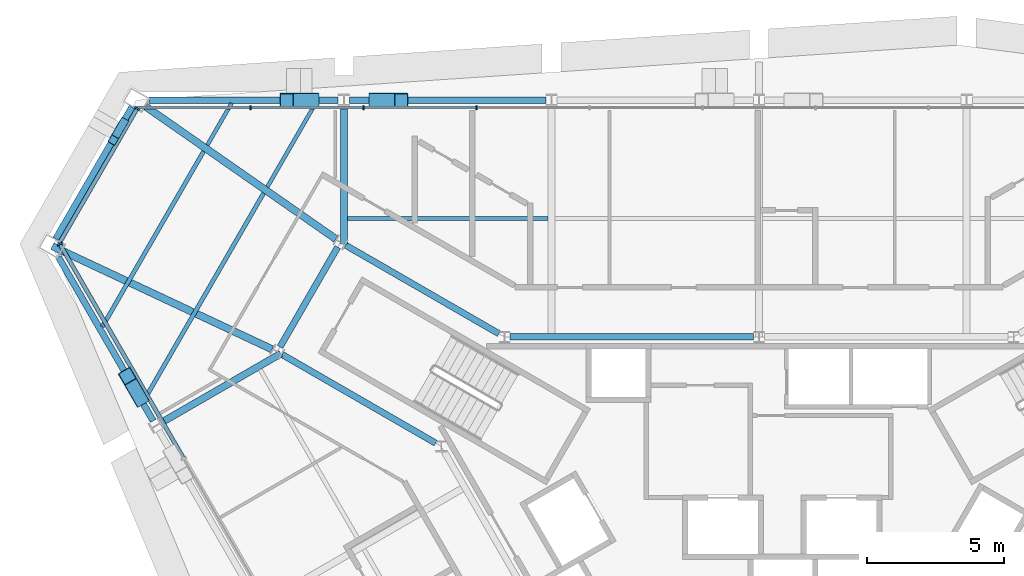
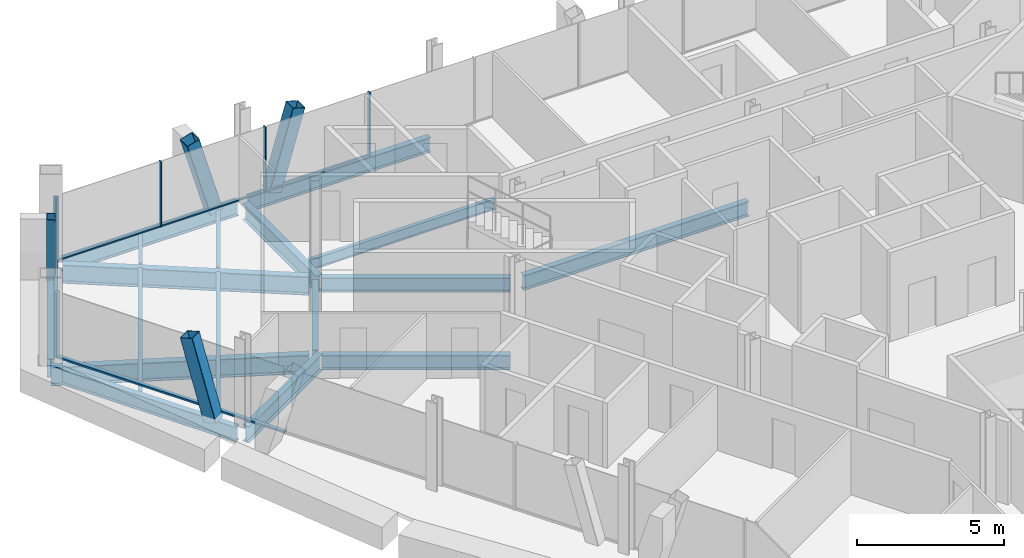
# One storey, part 5 of 13: 17 beams, 14 members, 3 elements without a shape of their own.
"""IFC4 building model written with IfcOpenShell, lengths in metres."""

from ifc_helpers import new_model, si_unit, direction, frame, origin, origin_2d, place, context, subcontext, project, spatial, rectangle, hollow_rectangle, i_section, extrude, material, material_profile, profile_set, type_object, element, aggregate, save


model = new_model("IFC4")

# Units and contexts
model_context = context("Model", 3, precision=1e-05, world=origin(), true_north=direction((0.0, 1.0)))
body_context = subcontext(model_context, "Body", "Model", "MODEL_VIEW")
ifc_project = project(units=[si_unit("LENGTHUNIT", "METRE"), si_unit("AREAUNIT", "SQUARE_METRE"), si_unit("VOLUMEUNIT", "CUBIC_METRE"), si_unit("PLANEANGLEUNIT", "RADIAN"), si_unit("MASSUNIT", "GRAM", prefix="KILO")], contexts=[model_context])

# Site, building, storey
site_placement = place(None, origin())
site = spatial("IfcSite", under=ifc_project, at=site_placement, CompositionType="ELEMENT")
building_placement = place(site_placement, origin())
building = spatial("IfcBuilding", under=site, at=building_placement, Name="Verrane Prism Tower", CompositionType="ELEMENT")
storey_placement = place(building_placement, frame((0.0, 0.0, 152.5)))
storey = spatial("IfcBuildingStorey", under=building, at=storey_placement, Name="L37", CompositionType="ELEMENT", Elevation=152.5)

# Member
ifc_material_1 = material(Name="Steel A500 Grade C", Category="steel")
ifc_material_profile_1 = material_profile(ifc_material_1, hollow_rectangle(XDim=0.3046875, YDim=0.3046875, WallThickness=0.0126953125, InnerFilletRadius=0.00634765625, OuterFilletRadius=0.01904296875, at=origin_2d()), Name="HSS12x12x1/2")
ifc_profile_set_1 = profile_set([ifc_material_profile_1], Name="Steel A500 Grade C")
member_type_1 = type_object("IfcMemberType", Name="Chamfer brace HSS12x12x1/2", PredefinedType="BRACE", material=ifc_profile_set_1)
member_1_placement = place(storey_placement, frame((-23.113525390625, 15.790771484375, -0.24267578125), z_axis=(-0.115415041023, -0.199492223225, 0.973078733288), x_axis=(0.865577616454, -0.500774789596, 0.0)))
element("IfcMember", 1, at=member_1_placement, inside=storey, type_object=member_type_1, Name="Chamfer brace NW0 L37", PredefinedType="BRACE", context=body_context, shape_type="SweptSolid", body=[
    extrude(hollow_rectangle(XDim=0.3046875, YDim=0.3046875, WallThickness=0.0126953125, InnerFilletRadius=0.00634765625, OuterFilletRadius=0.01904296875, at=origin_2d()), origin(), (0.0, 0.0, 1.0), 3.194091796875),
])

# Beams
ifc_material_2 = material(Name="Steel A992", Category="steel")
ifc_material_profile_2 = material_profile(ifc_material_2, i_section(OverallWidth=0.2666015625, OverallDepth=0.7568359375, WebThickness=0.013916015625, FlangeThickness=0.019287109375, FilletRadius=0.0166015625, at=origin_2d()), Name="W30x108")
ifc_profile_set_2 = profile_set([ifc_material_profile_2], Name="Steel A992")
beam_type_1 = type_object("IfcBeamType", Name="Chamfer spandrel beam W30x108", PredefinedType="SPANDREL", material=ifc_profile_set_2)
beam_1_placement = place(storey_placement, frame((-22.790283203125, 16.350341796875, -0.53857421875), z_axis=(-0.50050398262, -0.865734233689, 0.0), x_axis=(0.865734233689, -0.50050398262, 0.0)))
element("IfcBeam", 2, at=beam_1_placement, inside=storey, type_object=beam_type_1, Name="Chamfer spandrel beam L37", PredefinedType="SPANDREL", context=body_context, shape_type="SweptSolid", body=[
    extrude(i_section(OverallWidth=0.2666015625, OverallDepth=0.7568359375, WebThickness=0.013916015625, FlangeThickness=0.019287109375, FilletRadius=0.0166015625, at=origin_2d()), origin(), (0.0, 0.0, 1.0), 5.533447265625),
])
ifc_material_3 = material(Name="Steel A992", Category="steel")
ifc_material_profile_3 = material_profile(ifc_material_3, i_section(OverallWidth=0.23046875, OverallDepth=0.6171875, WebThickness=0.01318359375, FlangeThickness=0.022216796875, FilletRadius=0.012939453125, at=origin_2d()), Name="W24x94")
ifc_profile_set_3 = profile_set([ifc_material_profile_3], Name="Steel A992")
beam_type_2 = type_object("IfcBeamType", Name="Core ring girder W24x94", PredefinedType="BEAM", material=ifc_profile_set_3)
beam_2_placement = place(storey_placement, frame((-0.20068359375, 8.0, -0.55859375), z_axis=(-1.0, 0.0, 0.0), x_axis=(0.0, -1.0, 0.0)))
element("IfcBeam", 3, at=beam_2_placement, inside=storey, type_object=beam_type_2, Name="Core ring girder L37", PredefinedType="BEAM", context=body_context, shape_type="SweptSolid", body=[
    extrude(i_section(OverallWidth=0.23046875, OverallDepth=0.6171875, WebThickness=0.01318359375, FlangeThickness=0.022216796875, FilletRadius=0.012939453125, at=origin_2d()), origin(), (0.0, 0.0, 1.0), 8.858642578125),
])
beam_3_placement = place(storey_placement, frame((-9.460693359375, 8.11572265625, -0.55859375), z_axis=(-0.866075143088, 0.499913839102, 0.0), x_axis=(-0.499913839102, -0.866075143088, 0.0)))
element("IfcBeam", 4, at=beam_3_placement, inside=storey, type_object=beam_type_2, Name="Core ring girder L37", PredefinedType="BEAM", context=body_context, shape_type="SweptSolid", body=[
    extrude(i_section(OverallWidth=0.23046875, OverallDepth=0.6171875, WebThickness=0.01318359375, FlangeThickness=0.022216796875, FilletRadius=0.012939453125, at=origin_2d()), origin(), (0.0, 0.0, 1.0), 6.441650390625),
])
beam_4_placement = place(storey_placement, frame((-15.32177734375, 11.26416015625, -0.55859375), z_axis=(-0.500305747711, -0.865848808284, 0.0), x_axis=(0.865848808284, -0.500305747711, 0.0)))
element("IfcBeam", 5, at=beam_4_placement, inside=storey, type_object=beam_type_2, Name="Core ring girder L37", PredefinedType="BEAM", context=body_context, shape_type="SweptSolid", body=[
    extrude(i_section(OverallWidth=0.23046875, OverallDepth=0.6171875, WebThickness=0.01318359375, FlangeThickness=0.022216796875, FilletRadius=0.012939453125, at=origin_2d()), origin(), (0.0, 0.0, 1.0), 4.1904296875),
])
beam_5_placement = place(storey_placement, frame((-17.339599609375, 7.35595703125, -0.55859375), z_axis=(0.866075143088, -0.499913839102, 0.0), x_axis=(0.499913839102, 0.866075143088, 0.0)))
element("IfcBeam", 6, at=beam_5_placement, inside=storey, type_object=beam_type_2, Name="Core ring girder L37", PredefinedType="BEAM", context=body_context, shape_type="SweptSolid", body=[
    extrude(i_section(OverallWidth=0.23046875, OverallDepth=0.6171875, WebThickness=0.01318359375, FlangeThickness=0.022216796875, FilletRadius=0.012939453125, at=origin_2d()), origin(), (0.0, 0.0, 1.0), 6.441650390625),
])
ifc_material_4 = material(Name="Steel A992", Category="steel")
ifc_material_profile_4 = material_profile(ifc_material_4, i_section(OverallWidth=0.2666015625, OverallDepth=0.76708984375, WebThickness=0.014892578125, FlangeThickness=0.023681640625, FilletRadius=0.0166015625, at=origin_2d()), Name="W30x124")
ifc_profile_set_4 = profile_set([ifc_material_profile_4], Name="Steel A992")
beam_type_3 = type_object("IfcBeamType", Name="Corner girder W30x124", PredefinedType="BEAM", material=ifc_profile_set_4)
beam_6_placement = place(storey_placement, frame((-22.310546875, 16.380615234375, -0.603515625), z_axis=(0.820467710787, -0.571692868204, 0.0), x_axis=(0.571692868204, 0.820467710787, 0.0)))
element("IfcBeam", 7, at=beam_6_placement, inside=storey, type_object=beam_type_3, Name="Corner girder L37", PredefinedType="BEAM", context=body_context, shape_type="SweptSolid", body=[
    extrude(i_section(OverallWidth=0.2666015625, OverallDepth=0.76708984375, WebThickness=0.014892578125, FlangeThickness=0.023681640625, FilletRadius=0.0166015625, at=origin_2d()), origin(), (0.0, 0.0, 1.0), 8.432861328125),
])
beam_7_placement = place(storey_placement, frame((-25.703125, 11.296875, -0.603515625), z_axis=(0.905408784135, -0.424540850344, 0.0), x_axis=(0.424540850344, 0.905408784135, 0.0)))
element("IfcBeam", 8, at=beam_7_placement, inside=storey, type_object=beam_type_3, Name="Corner girder L37", PredefinedType="BEAM", context=body_context, shape_type="SweptSolid", body=[
    extrude(i_section(OverallWidth=0.2666015625, OverallDepth=0.76708984375, WebThickness=0.014892578125, FlangeThickness=0.023681640625, FilletRadius=0.0166015625, at=origin_2d()), origin(), (0.0, 0.0, 1.0), 8.8291015625),
])

# Members
ifc_material_5 = material(Name="Steel A500 Grade C", Category="steel")
ifc_material_profile_5 = material_profile(ifc_material_5, hollow_rectangle(XDim=0.508056640625, YDim=0.508056640625, WallThickness=0.01904296875, InnerFilletRadius=0.009521484375, OuterFilletRadius=0.028564453125, at=origin_2d()), Name="HSS20x20x3/4")
ifc_profile_set_5 = profile_set([ifc_material_profile_5], Name="Steel A500 Grade C")
member_type_2 = type_object("IfcMemberType", Name="Facade brace HSS20x20x3/4", PredefinedType="BRACE", material=ifc_profile_set_5)
member_2_placement = place(storey_placement, frame((-13.947998046875, 16.610107421875, -0.216796875), z_axis=(0.279831041073, 0.0, 0.960049263555), x_axis=(0.0, 1.0, 0.0)))
element("IfcMember", 9, at=member_2_placement, inside=storey, type_object=member_type_2, Name="Facade brace N4 L37", PredefinedType="BRACE", context=body_context, shape_type="SweptSolid", body=[
    extrude(hollow_rectangle(XDim=0.508056640625, YDim=0.508056640625, WallThickness=0.01904296875, InnerFilletRadius=0.009521484375, OuterFilletRadius=0.028564453125, at=origin_2d()), origin(), (0.0, 0.0, 1.0), 3.329345703125),
])
member_3_placement = place(storey_placement, frame((-16.25048828125, 16.610107421875, -0.216796875), z_axis=(-0.279493045213, 0.0, 0.960147716592), x_axis=(0.0, -1.0, 0.0)))
element("IfcMember", 10, at=member_3_placement, inside=storey, type_object=member_type_2, Name="Facade brace N5 L37", PredefinedType="BRACE", context=body_context, shape_type="SweptSolid", body=[
    extrude(hollow_rectangle(XDim=0.508056640625, YDim=0.508056640625, WallThickness=0.01904296875, InnerFilletRadius=0.009521484375, OuterFilletRadius=0.028564453125, at=origin_2d()), origin(), (0.0, 0.0, 1.0), 3.328857421875),
])
member_4_placement = place(storey_placement, frame((-22.5068359375, 5.766357421875, -0.216796875), z_axis=(-0.140068643314, 0.242076749518, 0.960093548829), x_axis=(-0.865551922742, -0.500819197952, 0.0)))
element("IfcMember", 11, at=member_4_placement, inside=storey, type_object=member_type_2, Name="Facade brace SW0 L37", PredefinedType="BRACE", context=body_context, shape_type="SweptSolid", body=[
    extrude(hollow_rectangle(XDim=0.508056640625, YDim=0.508056640625, WallThickness=0.01904296875, InnerFilletRadius=0.009521484375, OuterFilletRadius=0.028564453125, at=origin_2d()), origin(), (0.0, 0.0, 1.0), 3.3291015625),
])

# Beams
ifc_material_6 = material(Name="Steel A992", Category="steel")
ifc_material_profile_6 = material_profile(ifc_material_6, i_section(OverallWidth=0.140380859375, OverallDepth=0.40380859375, WebThickness=0.007080078125, FlangeThickness=0.01123046875, FilletRadius=0.01025390625, at=origin_2d()), Name="W16x31")
ifc_profile_set_6 = profile_set([ifc_material_profile_6], Name="Steel A992")
beam_type_4 = type_object("IfcBeamType", Name="Floor beam W16x31", PredefinedType="BEAM", material=ifc_profile_set_6)
beam_8_placement = place(storey_placement, frame((-17.87939453125, 13.455810546875, -0.36181640625), z_axis=(0.499977381828, 0.866038461998, 0.0), x_axis=(-0.866038461998, 0.499977381828, 0.0)))
element("IfcBeam", 12, at=beam_8_placement, inside=storey, type_object=beam_type_4, Name="Floor beam L37", PredefinedType="BEAM", context=body_context, shape_type="SweptSolid", body=[
    extrude(i_section(OverallWidth=0.140380859375, OverallDepth=0.40380859375, WebThickness=0.007080078125, FlangeThickness=0.01123046875, FilletRadius=0.01025390625, at=origin_2d()), origin(), (0.0, 0.0, 1.0), 3.509521484375),
])
beam_9_placement = place(storey_placement, frame((-20.0615234375, 14.97607421875, -0.36181640625), z_axis=(0.499971461383, 0.866041879935, 0.0), x_axis=(-0.866041879935, 0.499971461383, 0.0)))
element("IfcBeam", 13, at=beam_9_placement, inside=storey, type_object=beam_type_4, Name="Floor beam L37", PredefinedType="BEAM", context=body_context, shape_type="SweptSolid", body=[
    extrude(i_section(OverallWidth=0.140380859375, OverallDepth=0.40380859375, WebThickness=0.007080078125, FlangeThickness=0.01123046875, FilletRadius=0.01025390625, at=origin_2d()), origin(), (0.0, 0.0, 1.0), 1.75390625),
])
ifc_material_7 = material(Name="Steel A992", Category="steel")
ifc_material_profile_7 = material_profile(ifc_material_7, i_section(OverallWidth=0.15234375, OverallDepth=0.449462890625, WebThickness=0.007568359375, FlangeThickness=0.0107421875, FilletRadius=0.01025390625, at=origin_2d()), Name="W18x35")
ifc_profile_set_7 = profile_set([ifc_material_profile_7], Name="Steel A992")
beam_type_5 = type_object("IfcBeamType", Name="Floor beam W18x35", PredefinedType="BEAM", material=ifc_profile_set_7)
beam_10_placement = place(storey_placement, frame((-14.972900390625, 12.304931640625, -0.384765625), z_axis=(1.0, 0.0, 0.0), x_axis=(0.0, 1.0, 0.0)))
element("IfcBeam", 14, at=beam_10_placement, inside=storey, type_object=beam_type_5, Name="Floor beam L37", PredefinedType="BEAM", context=body_context, shape_type="SweptSolid", body=[
    extrude(i_section(OverallWidth=0.15234375, OverallDepth=0.449462890625, WebThickness=0.007568359375, FlangeThickness=0.0107421875, FilletRadius=0.01025390625, at=origin_2d()), origin(), (0.0, 0.0, 1.0), 7.2958984375),
])
beam_11_placement = place(storey_placement, frame((-22.347900390625, 5.72119140625, -0.384765625), z_axis=(0.500011878817, 0.866018545437, 0.0), x_axis=(-0.866018545437, 0.500011878817, 0.0)))
element("IfcBeam", 15, at=beam_11_placement, inside=storey, type_object=beam_type_5, Name="Floor beam L37", PredefinedType="BEAM", context=body_context, shape_type="SweptSolid", body=[
    extrude(i_section(OverallWidth=0.15234375, OverallDepth=0.449462890625, WebThickness=0.007568359375, FlangeThickness=0.0107421875, FilletRadius=0.01025390625, at=origin_2d()), origin(), (0.0, 0.0, 1.0), 8.664794921875),
])
beam_12_placement = place(storey_placement, frame((-23.880126953125, 8.368408203125, -0.384765625), z_axis=(0.500011344903, 0.866018853703, 0.0), x_axis=(-0.866018853703, 0.500011344903, 0.0)))
element("IfcBeam", 16, at=beam_12_placement, inside=storey, type_object=beam_type_5, Name="Floor beam L37", PredefinedType="BEAM", context=body_context, shape_type="SweptSolid", body=[
    extrude(i_section(OverallWidth=0.15234375, OverallDepth=0.449462890625, WebThickness=0.007568359375, FlangeThickness=0.0107421875, FilletRadius=0.01025390625, at=origin_2d()), origin(), (0.0, 0.0, 1.0), 7.364013671875),
])

# Curtain wall, members
ifc_material_8 = material(Name="Aluminium framed insulated glazing", Category="aluminium")
curtain_wall_type_1 = type_object("IfcCurtainWallType", Name="Curtain wall CW-C 4200 module", PredefinedType="NOTDEFINED", material=ifc_material_8)
curtain_wall_1_placement = place(storey_placement, origin())
curtain_wall_1 = element("IfcCurtainWall", 17, at=curtain_wall_1_placement, inside=storey, type_object=curtain_wall_type_1, Name="Glazed curtain wall north face L37", PredefinedType="NOTDEFINED")
ifc_material_9 = material(Name="Aluminium alloy 6063-T6", Category="aluminium")
ifc_material_profile_8 = material_profile(ifc_material_9, rectangle(XDim=0.139892578125, YDim=0.050048828125, at=origin_2d()), Name="Mullion 50x140 aluminium")
ifc_profile_set_8 = profile_set([ifc_material_profile_8], Name="Aluminium alloy 6063-T6")
member_type_3 = type_object("IfcMemberType", Name="Mullion 50x140 aluminium", PredefinedType="MULLION", material=ifc_profile_set_8)
member_5_placement = place(storey_placement, frame((-10.2724609375, 16.3310546875, 0.0), z_axis=(0.0, 0.0, 1.0), x_axis=(0.0, -1.0, 0.0)))
member_5 = element("IfcMember", 18, at=member_5_placement, type_object=member_type_3, Name="CW36.2 mullion 9", PredefinedType="MULLION", context=body_context, shape_type="SweptSolid", body=[
    extrude(rectangle(XDim=0.139892578125, YDim=0.050048828125, at=origin_2d()), origin(), (0.0, 0.0, 1.0), 2.712890625),
])
member_6_placement = place(storey_placement, frame((-14.381591796875, 16.3310546875, 0.0), z_axis=(0.0, 0.0, 1.0), x_axis=(0.0, -1.0, 0.0)))
member_6 = element("IfcMember", 19, at=member_6_placement, type_object=member_type_3, Name="CW36.2 mullion 10", PredefinedType="MULLION", context=body_context, shape_type="SweptSolid", body=[
    extrude(rectangle(XDim=0.139892578125, YDim=0.050048828125, at=origin_2d()), origin(), (0.0, 0.0, 1.0), 2.712890625),
])
member_7_placement = place(storey_placement, frame((-18.490478515625, 16.3310546875, 0.0), z_axis=(0.0, 0.0, 1.0), x_axis=(0.0, -1.0, 0.0)))
member_7 = element("IfcMember", 20, at=member_7_placement, type_object=member_type_3, Name="CW36.2 mullion 11", PredefinedType="MULLION", context=body_context, shape_type="SweptSolid", body=[
    extrude(rectangle(XDim=0.139892578125, YDim=0.050048828125, at=origin_2d()), origin(), (0.0, 0.0, 1.0), 2.712890625),
])

# Curtain wall, member
ifc_material_10 = material(Name="Aluminium framed insulated glazing", Category="aluminium")
curtain_wall_type_2 = type_object("IfcCurtainWallType", Name="Curtain wall CW-A 8400 module", PredefinedType="NOTDEFINED", material=ifc_material_10)
curtain_wall_2_placement = place(storey_placement, origin())
curtain_wall_2 = element("IfcCurtainWall", 21, at=curtain_wall_2_placement, inside=storey, type_object=curtain_wall_type_2, Name="Glazed curtain wall north-west corner L37", PredefinedType="NOTDEFINED")
ifc_material_11 = material(Name="Aluminium alloy 6063-T6", Category="aluminium")
ifc_material_profile_9 = material_profile(ifc_material_11, rectangle(XDim=0.199951171875, YDim=0.070068359375, at=origin_2d()), Name="Mullion 70x200 aluminium")
ifc_profile_set_9 = profile_set([ifc_material_profile_9], Name="Aluminium alloy 6063-T6")
member_type_4 = type_object("IfcMemberType", Name="Mullion 70x200 aluminium", PredefinedType="MULLION", material=ifc_profile_set_9)
member_8_placement = place(storey_placement, frame((-22.6171875, 16.30078125, 0.0), z_axis=(0.0, 0.0, 1.0), x_axis=(0.866023642559, -0.50000305052, 0.0)))
member_8 = element("IfcMember", 22, at=member_8_placement, type_object=member_type_4, Name="CW36.3 mullion 1", PredefinedType="MULLION", context=body_context, shape_type="SweptSolid", body=[
    extrude(rectangle(XDim=0.199951171875, YDim=0.070068359375, at=origin_2d()), origin(), (0.0, 0.0, 1.0), 2.712890625),
])

curtain_wall_3_placement = place(storey_placement, origin())
curtain_wall_3 = element("IfcCurtainWall", 23, at=curtain_wall_3_placement, inside=storey, type_object=curtain_wall_type_2, Name="Glazed curtain wall south-west face L37", PredefinedType="NOTDEFINED")
member_9_placement = place(storey_placement, frame((-25.42529296875, 11.3759765625, 0.0), z_axis=(0.0, 0.0, 1.0), x_axis=(0.866025097191, 0.500000531035, 0.0)))
member_9 = element("IfcMember", 24, at=member_9_placement, type_object=member_type_4, Name="CW36.4 mullion 1", PredefinedType="MULLION", context=body_context, shape_type="SweptSolid", body=[
    extrude(rectangle(XDim=0.199951171875, YDim=0.070068359375, at=origin_2d()), origin(), (0.0, 0.0, 1.0), 2.712890625),
])

# Beams
ifc_material_12 = material(Name="Steel A992", Category="steel")
ifc_material_profile_10 = material_profile(ifc_material_12, i_section(OverallWidth=0.25390625, OverallDepth=0.683349609375, WebThickness=0.012451171875, FlangeThickness=0.01904296875, FilletRadius=0.01513671875, at=origin_2d()), Name="W27x94")
ifc_profile_set_10 = profile_set([ifc_material_profile_10], Name="Steel A992")
beam_type_6 = type_object("IfcBeamType", Name="Radial girder W27x94", PredefinedType="BEAM", material=ifc_profile_set_10)
beam_13_placement = place(storey_placement, frame((-15.10009765625, 16.392822265625, -0.5615234375), z_axis=(0.0, -1.0, 0.0), x_axis=(1.0, 0.0, 0.0)))
element("IfcBeam", 25, at=beam_13_placement, inside=storey, type_object=beam_type_6, Name="Radial girder L37", PredefinedType="BEAM", context=body_context, shape_type="SweptSolid", body=[
    extrude(i_section(OverallWidth=0.25390625, OverallDepth=0.683349609375, WebThickness=0.012451171875, FlangeThickness=0.01904296875, FilletRadius=0.01513671875, at=origin_2d()), origin(), (0.0, 0.0, 1.0), 5.022216796875),
])
beam_14_placement = place(storey_placement, frame((-21.741943359375, 4.878662109375, -0.5615234375), z_axis=(0.866016279763, 0.500015802937, 0.0), x_axis=(-0.500015802937, 0.866016279763, 0.0)))
element("IfcBeam", 26, at=beam_14_placement, inside=storey, type_object=beam_type_6, Name="Radial girder L37", PredefinedType="BEAM", context=body_context, shape_type="SweptSolid", body=[
    extrude(i_section(OverallWidth=0.25390625, OverallDepth=0.683349609375, WebThickness=0.012451171875, FlangeThickness=0.01904296875, FilletRadius=0.01513671875, at=origin_2d()), origin(), (0.0, 0.0, 1.0), 5.018798828125),
])
ifc_material_13 = material(Name="Steel A992", Category="steel")
ifc_material_profile_11 = material_profile(ifc_material_13, i_section(OverallWidth=0.23046875, OverallDepth=0.6171875, WebThickness=0.01318359375, FlangeThickness=0.022216796875, FilletRadius=0.012939453125, at=origin_2d()), Name="W24x94")
ifc_profile_set_11 = profile_set([ifc_material_profile_11], Name="Steel A992")
beam_type_7 = type_object("IfcBeamType", Name="Spandrel beam W24x94", PredefinedType="SPANDREL", material=ifc_profile_set_11)
beam_15_placement = place(storey_placement, frame((-7.755615234375, 16.610107421875, -0.468505859375), z_axis=(-1.0, 0.0, 0.0), x_axis=(0.0, -1.0, 0.0)))
element("IfcBeam", 27, at=beam_15_placement, inside=storey, type_object=beam_type_7, Name="Spandrel beam L37", PredefinedType="SPANDREL", context=body_context, shape_type="SweptSolid", body=[
    extrude(i_section(OverallWidth=0.23046875, OverallDepth=0.6171875, WebThickness=0.01318359375, FlangeThickness=0.022216796875, FilletRadius=0.012939453125, at=origin_2d()), origin(), (0.0, 0.0, 1.0), 7.138671875),
])
beam_16_placement = place(storey_placement, frame((-15.3056640625, 16.610107421875, -0.468505859375), z_axis=(-1.0, 0.0, 0.0), x_axis=(0.0, -1.0, 0.0)))
element("IfcBeam", 28, at=beam_16_placement, inside=storey, type_object=beam_type_7, Name="Spandrel beam L37", PredefinedType="SPANDREL", context=body_context, shape_type="SweptSolid", body=[
    extrude(i_section(OverallWidth=0.23046875, OverallDepth=0.6171875, WebThickness=0.01318359375, FlangeThickness=0.022216796875, FilletRadius=0.012939453125, at=origin_2d()), origin(), (0.0, 0.0, 1.0), 6.872314453125),
])
beam_17_placement = place(storey_placement, frame((-25.478759765625, 10.900390625, -0.468505859375), z_axis=(0.500974701182, -0.865461927976, 0.0), x_axis=(0.865461927976, 0.500974701182, 0.0)))
element("IfcBeam", 29, at=beam_17_placement, inside=storey, type_object=beam_type_7, Name="Spandrel beam L37", PredefinedType="SPANDREL", context=body_context, shape_type="SweptSolid", body=[
    extrude(i_section(OverallWidth=0.23046875, OverallDepth=0.6171875, WebThickness=0.01318359375, FlangeThickness=0.022216796875, FilletRadius=0.012939453125, at=origin_2d()), origin(), (0.0, 0.0, 1.0), 6.877685546875),
])

# Member
ifc_material_14 = material(Name="Aluminium alloy 6063-T6", Category="aluminium")
ifc_material_profile_12 = material_profile(ifc_material_14, rectangle(XDim=0.10009765625, YDim=0.050048828125, at=origin_2d()), Name="Transom 50x100 aluminium")
ifc_profile_set_12 = profile_set([ifc_material_profile_12], Name="Aluminium alloy 6063-T6")
member_type_5 = type_object("IfcMemberType", Name="Transom 50x100 aluminium", PredefinedType="USERDEFINED", material=ifc_profile_set_12)
member_10_placement = place(storey_placement, frame((-10.297607421875, 16.3310546875, 0.02490234375), z_axis=(-1.0, 0.0, 0.0), x_axis=(0.0, -1.0, 0.0)))
member_10 = element("IfcMember", 30, at=member_10_placement, type_object=member_type_5, Name="CW36.2 transom 9", ObjectType="TRANSOM", PredefinedType="USERDEFINED", context=body_context, shape_type="SweptSolid", body=[
    extrude(rectangle(XDim=0.10009765625, YDim=0.050048828125, at=origin_2d()), origin(), (0.0, 0.0, 1.0), 4.058837890625),
])

member_11_placement = place(storey_placement, frame((-14.406494140625, 16.3310546875, 0.02490234375), z_axis=(-1.0, 0.0, 0.0), x_axis=(0.0, -1.0, 0.0)))
member_11 = element("IfcMember", 31, at=member_11_placement, type_object=member_type_5, Name="CW36.2 transom 10", ObjectType="TRANSOM", PredefinedType="USERDEFINED", context=body_context, shape_type="SweptSolid", body=[
    extrude(rectangle(XDim=0.10009765625, YDim=0.050048828125, at=origin_2d()), origin(), (0.0, 0.0, 1.0), 4.05908203125),
])

member_12_placement = place(storey_placement, frame((-18.515625, 16.3310546875, 0.02490234375), z_axis=(-1.0, 0.0, 0.0), x_axis=(0.0, -1.0, 0.0)))
member_12 = element("IfcMember", 32, at=member_12_placement, type_object=member_type_5, Name="CW36.2 transom 11", ObjectType="TRANSOM", PredefinedType="USERDEFINED", context=body_context, shape_type="SweptSolid", body=[
    extrude(rectangle(XDim=0.10009765625, YDim=0.050048828125, at=origin_2d()), origin(), (0.0, 0.0, 1.0), 4.083984375),
])

aggregate(curtain_wall_1, [member_5, member_6, member_7, member_10, member_11, member_12])

ifc_material_15 = material(Name="Aluminium alloy 6063-T6", Category="aluminium")
ifc_material_profile_13 = material_profile(ifc_material_15, rectangle(XDim=0.14990234375, YDim=0.070068359375, at=origin_2d()), Name="Transom 70x150 aluminium")
ifc_profile_set_13 = profile_set([ifc_material_profile_13], Name="Aluminium alloy 6063-T6")
member_type_6 = type_object("IfcMemberType", Name="Transom 70x150 aluminium", PredefinedType="USERDEFINED", material=ifc_profile_set_13)
member_13_placement = place(storey_placement, frame((-22.634521484375, 16.270263671875, 0.034912109375), z_axis=(-0.50001468958, -0.866016922585, 0.0), x_axis=(0.866016922585, -0.50001468958, 0.0)))
member_13 = element("IfcMember", 33, at=member_13_placement, type_object=member_type_6, Name="CW36.3 transom 1", ObjectType="TRANSOM", PredefinedType="USERDEFINED", context=body_context, shape_type="SweptSolid", body=[
    extrude(rectangle(XDim=0.14990234375, YDim=0.070068359375, at=origin_2d()), origin(), (0.0, 0.0, 1.0), 5.616455078125),
])

aggregate(curtain_wall_2, [member_8, member_13])

member_14_placement = place(storey_placement, frame((-25.407958984375, 11.345703125, 0.034912109375), z_axis=(0.500009438539, -0.866019954373, 0.0), x_axis=(0.866019954373, 0.500009438539, 0.0)))
member_14 = element("IfcMember", 34, at=member_14_placement, type_object=member_type_6, Name="CW36.4 transom 1", ObjectType="TRANSOM", PredefinedType="USERDEFINED", context=body_context, shape_type="SweptSolid", body=[
    extrude(rectangle(XDim=0.14990234375, YDim=0.070068359375, at=origin_2d()), origin(), (0.0, 0.0, 1.0), 8.934814453125),
])

aggregate(curtain_wall_3, [member_9, member_14])

save(model, "model.ifc")
